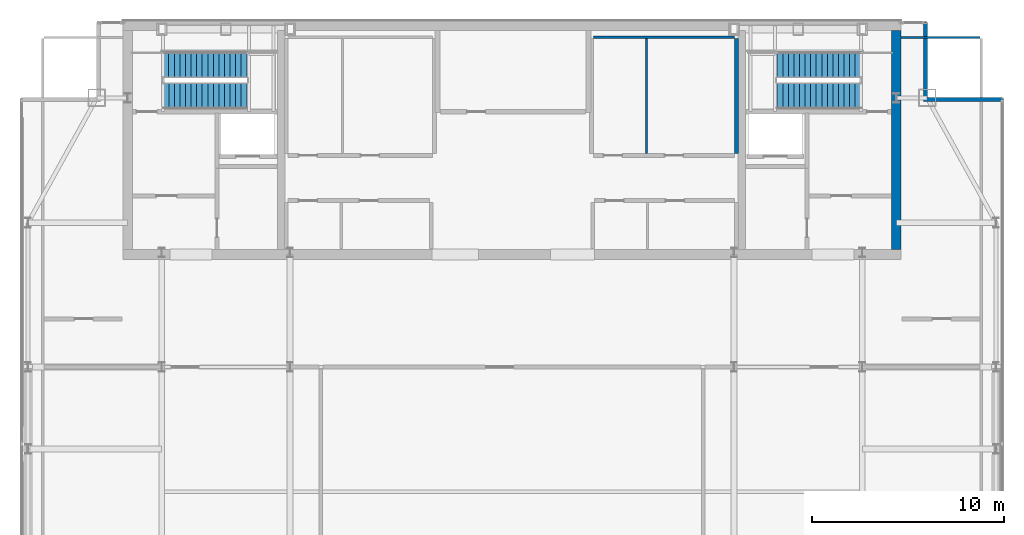
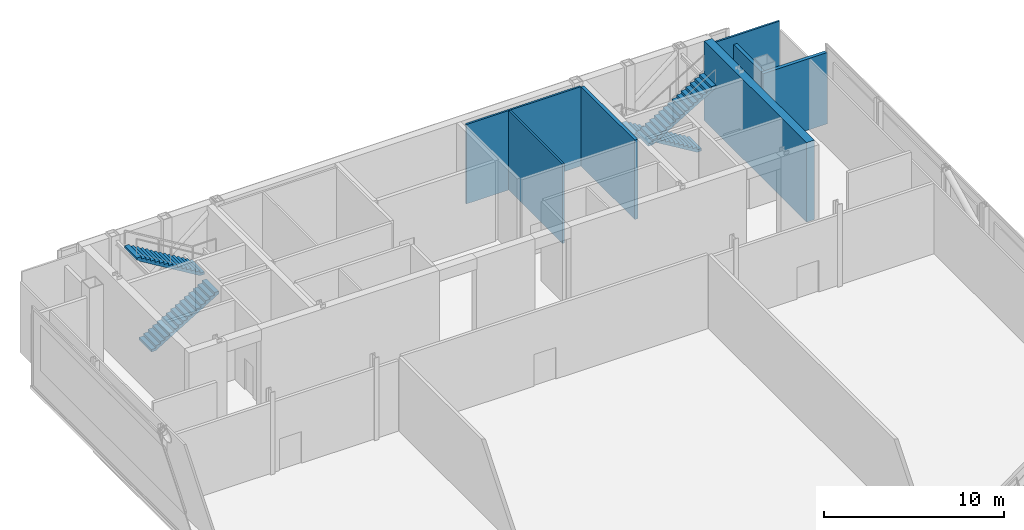
# One storey, part 20 of 22: 7 walls, 4 stair flights, 2 elements without a shape of their own.
"""IFC4 building model written with IfcOpenShell, lengths in metres."""

from ifc_helpers import new_model, si_unit, direction, frame, frame_2d, origin, place, context, subcontext, project, spatial, polyline, rectangle, outline, extrude, material, layer, layer_set, type_object, element, aggregate, save


model = new_model("IFC4")

# Units and contexts
model_context = context("Model", 3, precision=1e-05, world=origin(), true_north=direction((0.0, 1.0)))
body_context = subcontext(model_context, "Body", "Model", "MODEL_VIEW")
ifc_project = project(units=[si_unit("LENGTHUNIT", "METRE"), si_unit("AREAUNIT", "SQUARE_METRE"), si_unit("VOLUMEUNIT", "CUBIC_METRE"), si_unit("PLANEANGLEUNIT", "RADIAN"), si_unit("MASSUNIT", "GRAM", prefix="KILO")], contexts=[model_context])

# Site, building, storey
site_placement = place(None, origin())
site = spatial("IfcSite", under=ifc_project, at=site_placement, CompositionType="ELEMENT")
building_placement = place(site_placement, origin())
building = spatial("IfcBuilding", under=site, at=building_placement, Name="Khoronbel Lancet Exchange", CompositionType="ELEMENT")
storey_placement = place(building_placement, frame((0.0, 0.0, 361.800048828125)))
storey = spatial("IfcBuildingStorey", under=building, at=storey_placement, Name="L93", CompositionType="ELEMENT", Elevation=361.800048828125)

# Walls
ifc_material_1 = material(Name="Concrete C60/75", Category="concrete")
ifc_layer_1 = layer(ifc_material_1, 0.5, Name="Concrete C60/75")
ifc_layer_set_1 = layer_set([ifc_layer_1], Name="Concrete C60/75")
wall_type_1 = type_object("IfcWallType", Name="WL-CW4", PredefinedType="SHEAR", material=ifc_layer_set_1)
wall_1_placement = place(storey_placement, frame((56.449951171875, 53.199951171875, 0.0), z_axis=(0.0, 0.0, 1.0), x_axis=(0.0, -1.0, 0.0)))
element("IfcWall", 1, at=wall_1_placement, inside=storey, type_object=wall_type_1, Name="Level L93 rear core east shear wall", PredefinedType="SHEAR", context=body_context, shape_type="SweptSolid", body=[
    extrude(rectangle(XDim=11.39990234375, YDim=0.5, at=frame_2d((5.699951171875, 0.0))), origin(), (0.0, 0.0, 1.0), 5.39990234375),
])
ifc_material_2 = material(Name="Precast concrete C40/50", Category="concrete")
ifc_layer_2 = layer(ifc_material_2, 0.25, Name="Precast concrete C40/50")
ifc_layer_set_2 = layer_set([ifc_layer_2], Name="Precast concrete C40/50")
wall_type_2 = type_object("IfcWallType", Name="WL-EXT250", PredefinedType="SOLIDWALL", material=ifc_layer_set_2)
wall_2_placement = place(storey_placement, frame((57.9599609375, 53.6298828125, 0.0), z_axis=(0.0, 0.0, 1.0), x_axis=(0.0, -1.0, 0.0)))
element("IfcWall", 2, at=wall_2_placement, inside=storey, type_object=wall_type_2, Name="Level L93 notched-corner limestone pier 07", PredefinedType="SOLIDWALL", context=body_context, shape_type="SweptSolid", body=[
    extrude(rectangle(XDim=3.909912109375, YDim=0.219970703125, at=frame_2d((1.955078125, 0.0))), origin(), (0.0, 0.0, 1.0), 4.83984375),
])
wall_3_placement = place(storey_placement, frame((57.85009765625, 49.610107421875, 0.0), z_axis=(0.0, 0.0, 1.0), x_axis=(1.0, 0.0, 0.0)))
element("IfcWall", 3, at=wall_3_placement, inside=storey, type_object=wall_type_2, Name="Level L93 notched-corner limestone pier 08", PredefinedType="SOLIDWALL", context=body_context, shape_type="SweptSolid", body=[
    extrude(rectangle(XDim=4.1298828125, YDim=0.219970703125, at=frame_2d((2.06494140625, 0.0))), origin(), (0.0, 0.0, 1.0), 4.83984375),
])
ifc_material_3 = material(Name="Acoustic Metal-Stud & Mineral-Wool Gypsum Partition 120 mm", Category="gypsum")
ifc_layer_3 = layer(ifc_material_3, 0.1201171875, Name="Acoustic Metal-Stud & Mineral-Wool Gypsum Partition 120 mm")
ifc_layer_set_3 = layer_set([ifc_layer_3], Name="Acoustic Metal-Stud & Mineral-Wool Gypsum Partition 120 mm")
wall_type_3 = type_object("IfcWallType", Name="WL-PRT120", PredefinedType="PARTITIONING", material=ifc_layer_set_3)
wall_4_placement = place(storey_placement, frame((56.699951171875, 52.840087890625, 0.0), z_axis=(0.0, 0.0, 1.0), x_axis=(1.0, 0.0, 0.0)))
element("IfcWall", 4, at=wall_4_placement, inside=storey, type_object=wall_type_3, Name="Level L93 interior partition PW-LIN-NE", PredefinedType="PARTITIONING", context=body_context, shape_type="SweptSolid", body=[
    extrude(rectangle(XDim=4.10498046875, YDim=0.1201171875, at=frame_2d((2.052490234375, 0.0))), origin(), (0.0, 0.0, 1.0), 5.39990234375),
])
ifc_material_4 = material(Name="Fire-Rated Metal-Stud & Mineral-Wool Gypsum Partition 120 mm", Category="gypsum")
ifc_layer_4 = layer(ifc_material_4, 0.1201171875, Name="Fire-Rated Metal-Stud & Mineral-Wool Gypsum Partition 120 mm")
ifc_layer_set_4 = layer_set([ifc_layer_4], Name="Fire-Rated Metal-Stud & Mineral-Wool Gypsum Partition 120 mm")
wall_type_4 = type_object("IfcWallType", Name="WL-PRT120F", PredefinedType="PARTITIONING", material=ifc_layer_set_4)
wall_5_placement = place(storey_placement, frame((40.68505859375, 52.860107421875, 0.0), z_axis=(0.0, 0.0, 1.0), x_axis=(1.0, 0.0, 0.0)))
element("IfcWall", 5, at=wall_5_placement, inside=storey, type_object=wall_type_4, Name="Level L93 interior partition CW-PH-RN", PredefinedType="PARTITIONING", context=body_context, shape_type="SweptSolid", body=[
    extrude(rectangle(XDim=7.349853515625, YDim=0.1201171875, at=frame_2d((3.6748046875, 0.0))), origin(), (0.0, 0.0, 1.0), 5.39990234375),
])
wall_6_placement = place(storey_placement, frame((43.452880859375, 46.804931640625, 0.0), z_axis=(0.0, 0.0, 1.0), x_axis=(0.0, 1.0, 0.0)))
element("IfcWall", 6, at=wall_6_placement, inside=storey, type_object=wall_type_4, Name="Level L93 interior partition CW-PH-RS1", PredefinedType="PARTITIONING", context=body_context, shape_type="SweptSolid", body=[
    extrude(rectangle(XDim=5.989990234375, YDim=0.1201171875, at=frame_2d((2.9951171875, 0.0))), origin(), (0.0, 0.0, 1.0), 5.39990234375),
])
ifc_material_5 = material(Name="Autoclaved Aerated Concrete Blockwork 200 mm", Category="masonry")
ifc_layer_5 = layer(ifc_material_5, 0.199951171875, Name="Autoclaved Aerated Concrete Blockwork 200 mm")
ifc_layer_set_5 = layer_set([ifc_layer_5], Name="Autoclaved Aerated Concrete Blockwork 200 mm")
wall_type_5 = type_object("IfcWallType", Name="WL-PRT200", PredefinedType="PARTITIONING", material=ifc_layer_set_5)
wall_7_placement = place(storey_placement, frame((48.139892578125, 46.804931640625, 0.0), z_axis=(0.0, 0.0, 1.0), x_axis=(0.0, 1.0, 0.0)))
element("IfcWall", 7, at=wall_7_placement, inside=storey, type_object=wall_type_5, Name="Level L93 interior partition CW-PH-RE", PredefinedType="PARTITIONING", context=body_context, shape_type="SweptSolid", body=[
    extrude(rectangle(XDim=5.989990234375, YDim=0.199951171875, at=frame_2d((2.9951171875, 0.0))), origin(), (0.0, 0.0, 1.0), 5.39990234375),
])

# Stair, stair flights
ifc_material_6 = material(Name="Concrete C40/50", Category="concrete")
stair_type = type_object("IfcStairType", Name="STR-CRN135", PredefinedType="HALF_TURN_STAIR", material=ifc_material_6)
stair_1_placement = place(storey_placement, origin())
stair_1 = element("IfcStair", 8, at=stair_1_placement, inside=storey, type_object=stair_type, Name="L93 Protected Exit Stair ST1", PredefinedType="HALF_TURN_STAIR")
stair_flight_type = type_object("IfcStairFlightType", Name="STF-135", PredefinedType="STRAIGHT", material=ifc_material_6)
stair_flight_1_placement = place(storey_placement, frame((18.300048828125, 49.81005859375, 0.0), z_axis=(0.0, 0.0, 1.0), x_axis=(1.0, 0.0, 0.0)))
stair_flight_1 = element("IfcStairFlight", 9, at=stair_flight_1_placement, type_object=stair_flight_type, Name="ST1 flight 1", NumberOfRisers=16, NumberOfTreads=15, PredefinedType="STRAIGHT", RiserHeight=0.175, TreadLength=0.29, context=body_context, shape_type="SweptSolid", body=[
    extrude(outline(polyline([(0.0, 0.0), (0.0, 0.175048828125), (0.2900390625, 0.175048828125), (0.2900390625, 0.35009765625), (0.580078125, 0.35009765625), (0.580078125, 0.52490234375), (0.8701171875, 0.52490234375), (0.8701171875, 0.699951171875), (1.159912109375, 0.699951171875), (1.159912109375, 0.875), (1.449951171875, 0.875), (1.449951171875, 1.050048828125), (1.739990234375, 1.050048828125), (1.739990234375, 1.22509765625), (2.030029296875, 1.22509765625), (2.030029296875, 1.39990234375), (2.320068359375, 1.39990234375), (2.320068359375, 1.574951171875), (2.610107421875, 1.574951171875), (2.610107421875, 1.75), (2.89990234375, 1.75), (2.89990234375, 1.925048828125), (3.18994140625, 1.925048828125), (3.18994140625, 2.10009765625), (3.47998046875, 2.10009765625), (3.47998046875, 2.27490234375), (3.77001953125, 2.27490234375), (3.77001953125, 2.449951171875), (4.06005859375, 2.449951171875), (4.06005859375, 2.625), (4.35009765625, 2.625), (4.35009765625, 2.800048828125), (4.35009765625, 2.449951171875), (0.2900390625, 0.0), (0.0, 0.0)])), frame((0.0, 0.68994140625, 0.0), z_axis=(0.0, -1.0, 0.0), x_axis=(1.0, 0.0, 0.0)), (0.0, 0.0, 1.0), 1.3798828125),
])
stair_flight_2_placement = place(storey_placement, frame((22.64990234375, 51.409912109375, 2.800048828125), z_axis=(0.0, 0.0, 1.0), x_axis=(-1.0, 0.0, 0.0)))
stair_flight_2 = element("IfcStairFlight", 10, at=stair_flight_2_placement, type_object=stair_flight_type, Name="ST1 flight 2", NumberOfRisers=16, NumberOfTreads=15, PredefinedType="STRAIGHT", RiserHeight=0.175, TreadLength=0.29, context=body_context, shape_type="SweptSolid", body=[
    extrude(outline(polyline([(0.0, 0.0), (0.0, 0.175048828125), (0.2900390625, 0.175048828125), (0.2900390625, 0.35009765625), (0.580078125, 0.35009765625), (0.580078125, 0.52490234375), (0.8701171875, 0.52490234375), (0.8701171875, 0.699951171875), (1.159912109375, 0.699951171875), (1.159912109375, 0.875), (1.449951171875, 0.875), (1.449951171875, 1.050048828125), (1.739990234375, 1.050048828125), (1.739990234375, 1.22509765625), (2.030029296875, 1.22509765625), (2.030029296875, 1.39990234375), (2.320068359375, 1.39990234375), (2.320068359375, 1.574951171875), (2.610107421875, 1.574951171875), (2.610107421875, 1.75), (2.89990234375, 1.75), (2.89990234375, 1.925048828125), (3.18994140625, 1.925048828125), (3.18994140625, 2.10009765625), (3.47998046875, 2.10009765625), (3.47998046875, 2.27490234375), (3.77001953125, 2.27490234375), (3.77001953125, 2.449951171875), (4.06005859375, 2.449951171875), (4.06005859375, 2.625), (4.35009765625, 2.625), (4.35009765625, 2.800048828125), (4.35009765625, 2.449951171875), (0.2900390625, 0.0), (0.0, 0.0)])), frame((0.0, 0.68994140625, 0.0), z_axis=(0.0, -1.0, 0.0), x_axis=(1.0, 0.0, 0.0)), (0.0, 0.0, 1.0), 1.3798828125),
])
aggregate(stair_1, [stair_flight_1, stair_flight_2])

stair_2_placement = place(storey_placement, origin())
stair_2 = element("IfcStair", 11, at=stair_2_placement, inside=storey, type_object=stair_type, Name="L93 Protected Exit Stair ST2", PredefinedType="HALF_TURN_STAIR")
stair_flight_3_placement = place(storey_placement, frame((54.60009765625, 51.409912109375, 0.0), z_axis=(0.0, 0.0, 1.0), x_axis=(-1.0, 0.0, 0.0)))
stair_flight_3 = element("IfcStairFlight", 12, at=stair_flight_3_placement, type_object=stair_flight_type, Name="ST2 flight 1", NumberOfRisers=16, NumberOfTreads=15, PredefinedType="STRAIGHT", RiserHeight=0.175, TreadLength=0.29, context=body_context, shape_type="SweptSolid", body=[
    extrude(outline(polyline([(0.0, 0.0), (0.0, 0.175048828125), (0.2900390625, 0.175048828125), (0.2900390625, 0.35009765625), (0.580078125, 0.35009765625), (0.580078125, 0.52490234375), (0.8701171875, 0.52490234375), (0.8701171875, 0.699951171875), (1.159912109375, 0.699951171875), (1.159912109375, 0.875), (1.449951171875, 0.875), (1.449951171875, 1.050048828125), (1.739990234375, 1.050048828125), (1.739990234375, 1.22509765625), (2.030029296875, 1.22509765625), (2.030029296875, 1.39990234375), (2.320068359375, 1.39990234375), (2.320068359375, 1.574951171875), (2.610107421875, 1.574951171875), (2.610107421875, 1.75), (2.89990234375, 1.75), (2.89990234375, 1.925048828125), (3.18994140625, 1.925048828125), (3.18994140625, 2.10009765625), (3.47998046875, 2.10009765625), (3.47998046875, 2.27490234375), (3.77001953125, 2.27490234375), (3.77001953125, 2.449951171875), (4.06005859375, 2.449951171875), (4.06005859375, 2.625), (4.35009765625, 2.625), (4.35009765625, 2.800048828125), (4.35009765625, 2.449951171875), (0.2900390625, 0.0), (0.0, 0.0)])), frame((0.0, 0.68994140625, 0.0), z_axis=(0.0, -1.0, 0.0), x_axis=(1.0, 0.0, 0.0)), (0.0, 0.0, 1.0), 1.3798828125),
])
stair_flight_4_placement = place(storey_placement, frame((50.25, 49.81005859375, 2.800048828125), z_axis=(0.0, 0.0, 1.0), x_axis=(1.0, 0.0, 0.0)))
stair_flight_4 = element("IfcStairFlight", 13, at=stair_flight_4_placement, type_object=stair_flight_type, Name="ST2 flight 2", NumberOfRisers=16, NumberOfTreads=15, PredefinedType="STRAIGHT", RiserHeight=0.175, TreadLength=0.29, context=body_context, shape_type="SweptSolid", body=[
    extrude(outline(polyline([(0.0, 0.0), (0.0, 0.175048828125), (0.2900390625, 0.175048828125), (0.2900390625, 0.35009765625), (0.580078125, 0.35009765625), (0.580078125, 0.52490234375), (0.8701171875, 0.52490234375), (0.8701171875, 0.699951171875), (1.159912109375, 0.699951171875), (1.159912109375, 0.875), (1.449951171875, 0.875), (1.449951171875, 1.050048828125), (1.739990234375, 1.050048828125), (1.739990234375, 1.22509765625), (2.030029296875, 1.22509765625), (2.030029296875, 1.39990234375), (2.320068359375, 1.39990234375), (2.320068359375, 1.574951171875), (2.610107421875, 1.574951171875), (2.610107421875, 1.75), (2.89990234375, 1.75), (2.89990234375, 1.925048828125), (3.18994140625, 1.925048828125), (3.18994140625, 2.10009765625), (3.47998046875, 2.10009765625), (3.47998046875, 2.27490234375), (3.77001953125, 2.27490234375), (3.77001953125, 2.449951171875), (4.06005859375, 2.449951171875), (4.06005859375, 2.625), (4.35009765625, 2.625), (4.35009765625, 2.800048828125), (4.35009765625, 2.449951171875), (0.2900390625, 0.0), (0.0, 0.0)])), frame((0.0, 0.68994140625, 0.0), z_axis=(0.0, -1.0, 0.0), x_axis=(1.0, 0.0, 0.0)), (0.0, 0.0, 1.0), 1.3798828125),
])
aggregate(stair_2, [stair_flight_3, stair_flight_4])

save(model, "model.ifc")
